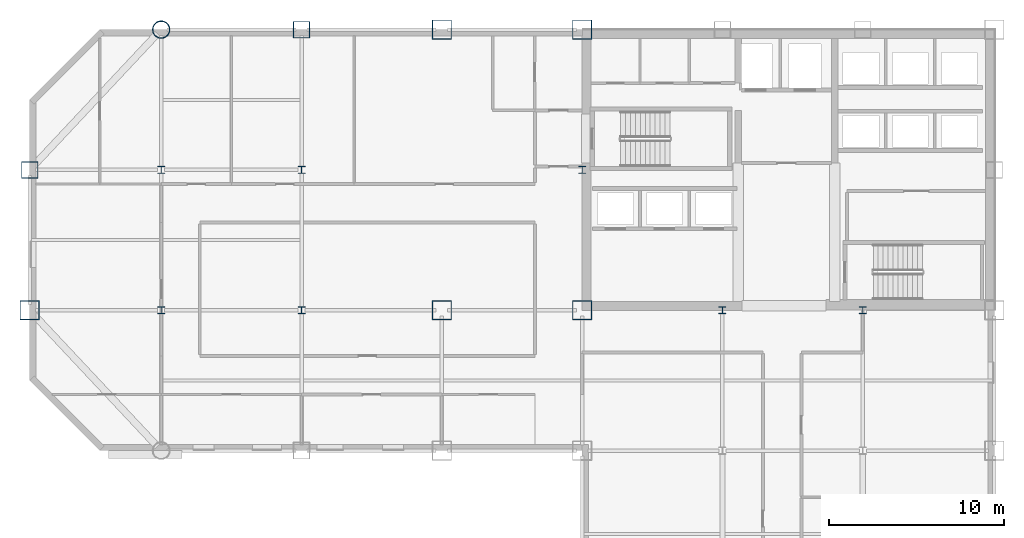
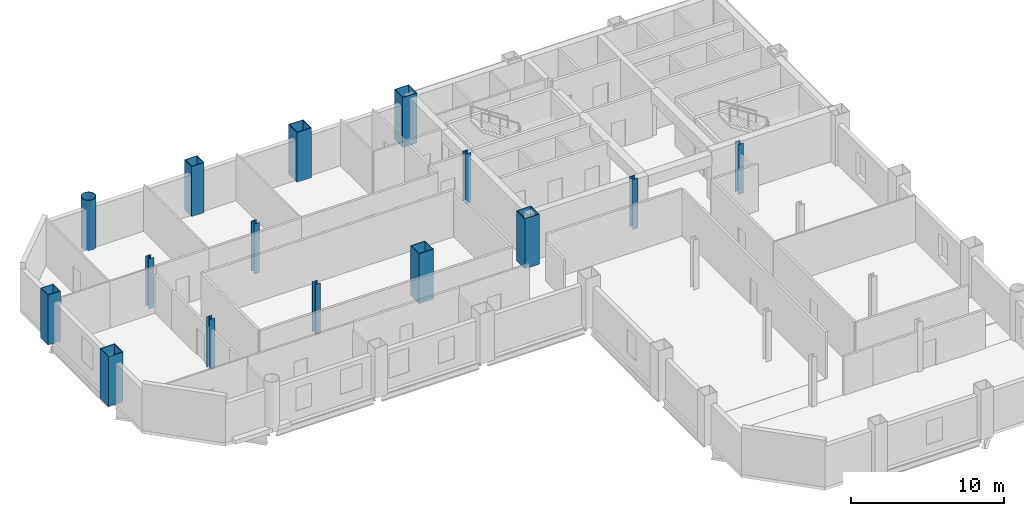
# One storey, part 3 of 10: 15 columns.
"""IFC4 building model written with IfcOpenShell, lengths in metres."""

from ifc_helpers import new_model, si_unit, direction, frame, origin, origin_2d, place, context, subcontext, project, spatial, hollow_rectangle, hollow_circle, i_section, extrude, material, material_profile, profile_set, type_object, element, save


model = new_model("IFC4")

# Units and contexts
model_context = context("Model", 3, precision=1e-05, world=origin(), true_north=direction((0.0, 1.0)))
body_context = subcontext(model_context, "Body", "Model", "MODEL_VIEW")
ifc_project = project(units=[si_unit("LENGTHUNIT", "METRE"), si_unit("AREAUNIT", "SQUARE_METRE"), si_unit("VOLUMEUNIT", "CUBIC_METRE"), si_unit("PLANEANGLEUNIT", "RADIAN"), si_unit("MASSUNIT", "GRAM", prefix="KILO")], contexts=[model_context])

# Site, building, storey
site_placement = place(None, origin())
site = spatial("IfcSite", under=ifc_project, at=site_placement, CompositionType="ELEMENT")
building_placement = place(site_placement, origin())
building = spatial("IfcBuilding", under=site, at=building_placement, Name="Qianrong Seaharbour Tower", CompositionType="ELEMENT")
storey_placement = place(building_placement, frame((0.0, 0.0, 171.0)))
storey = spatial("IfcBuildingStorey", under=building, at=storey_placement, Name="L41", CompositionType="ELEMENT", Elevation=171.0)

# Columns
ifc_material = material(Name="Structural steel SN490B", Category="steel")
ifc_material_profile_1 = material_profile(ifc_material, hollow_rectangle(XDim=1.10009765625, YDim=1.10009765625, WallThickness=0.0400390625, at=origin_2d()), Name="BOX1100x1100x40")
ifc_profile_set_1 = profile_set([ifc_material_profile_1], Name="Structural steel SN490B")
column_type_1 = type_object("IfcColumnType", Name="COL-CFT-1100", PredefinedType="COLUMN", material=ifc_profile_set_1)
for number, where, z_axis, x_axis, name in (
    (1, (9.0, 36.0, 0.0), (0.0, 0.0, 1.0), (1.0, 0.0, 0.0), "L41 Column MC-3 at G2/GF"),
    (2, (32.5, 36.0, 0.0), (0.0, 0.0, 1.0), (1.0, 0.0, 0.0), "L41 Column MC-3 at G5/GF"),
    (3, (32.5, 52.0, 0.0), (0.0, 0.0, 1.0), (1.0, 0.0, 0.0), "L41 Column MC-3 at G5/GH"),
    (4, (40.5, 36.0, 0.0), (0.0, 0.0, 1.0), (1.0, 0.0, 0.0), "L41 Column MC-3 at G6/GF"),
    (5, (40.5, 52.0, 0.0), (0.0, 0.0, 1.0), (1.0, 0.0, 0.0), "L41 Column MC-3 at G6/GH"),
):
    element("IfcColumn", number, at=place(storey_placement, frame(where, z_axis=z_axis, x_axis=x_axis)), inside=storey, type_object=column_type_1, Name=name, PredefinedType="COLUMN", context=body_context, shape_type="SweptSolid", body=[
        extrude(hollow_rectangle(XDim=1.10009765625, YDim=1.10009765625, WallThickness=0.0400390625, at=origin_2d()), origin(), (0.0, 0.0, 1.0), 4.0),
    ])
ifc_material_profile_2 = material_profile(ifc_material, hollow_circle(Radius=0.5, WallThickness=0.035888671875, at=origin_2d()), Name="CHS1000x36")
ifc_profile_set_2 = profile_set([ifc_material_profile_2], Name="Structural steel SN490B")
column_type_2 = type_object("IfcColumnType", Name="COL-CHS-1000", PredefinedType="COLUMN", material=ifc_profile_set_2)
column_placement = place(storey_placement, frame((16.5, 52.0, 0.0), z_axis=(0.0, 0.0, 1.0), x_axis=(1.0, 0.0, 0.0)))
element("IfcColumn", 6, at=column_placement, inside=storey, type_object=column_type_2, Name="L41 Column CC-2 at G3/GH", PredefinedType="COLUMN", context=body_context, shape_type="SweptSolid", body=[
    extrude(hollow_circle(Radius=0.5, WallThickness=0.035888671875, at=origin_2d()), origin(), (0.0, 0.0, 1.0), 4.0),
])
ifc_material_profile_3 = material_profile(ifc_material, i_section(OverallWidth=0.39990234375, OverallDepth=0.39990234375, WebThickness=0.012939453125, FlangeThickness=0.02099609375, FilletRadius=0.02197265625, at=origin_2d()), Name="H400x400x13x21")
ifc_profile_set_3 = profile_set([ifc_material_profile_3], Name="Structural steel SN490B")
column_type_3 = type_object("IfcColumnType", Name="COL-INT-H400", PredefinedType="COLUMN", material=ifc_profile_set_3)
for number, where, z_axis, x_axis, name in (
    (7, (16.5, 36.0, 0.0), (0.0, 0.0, 1.0), (1.0, 0.0, 0.0), "L41 Column IC-3 at G3/GF"),
    (8, (16.5, 44.0, 0.0), (0.0, 0.0, 1.0), (1.0, 0.0, 0.0), "L41 Column IC-3 at G3/GG"),
    (9, (24.5, 36.0, 0.0), (0.0, 0.0, 1.0), (1.0, 0.0, 0.0), "L41 Column IC-3 at G4/GF"),
    (10, (24.5, 44.0, 0.0), (0.0, 0.0, 1.0), (1.0, 0.0, 0.0), "L41 Column IC-3 at G4/GG"),
    (11, (40.5, 44.0, 0.0), (0.0, 0.0, 1.0), (1.0, 0.0, 0.0), "L41 Column IC-3 at G6/GG"),
    (12, (48.5, 36.0, 0.0), (0.0, 0.0, 1.0), (1.0, 0.0, 0.0), "L41 Column IC-3 at G7/GF"),
    (13, (56.5, 36.0, 0.0), (0.0, 0.0, 1.0), (1.0, 0.0, 0.0), "L41 Column IC-3 at G8/GF"),
):
    element("IfcColumn", number, at=place(storey_placement, frame(where, z_axis=z_axis, x_axis=x_axis)), inside=storey, type_object=column_type_3, Name=name, PredefinedType="COLUMN", context=body_context, shape_type="SweptSolid", body=[
        extrude(i_section(OverallWidth=0.39990234375, OverallDepth=0.39990234375, WebThickness=0.012939453125, FlangeThickness=0.02099609375, FilletRadius=0.02197265625, at=origin_2d()), origin(), (0.0, 0.0, 1.0), 4.0),
    ])
ifc_material_profile_4 = material_profile(ifc_material, hollow_rectangle(XDim=0.949951171875, YDim=0.949951171875, WallThickness=0.035888671875, at=origin_2d()), Name="BOX950x950x36")
ifc_profile_set_4 = profile_set([ifc_material_profile_4], Name="Structural steel SN490B")
column_type_4 = type_object("IfcColumnType", Name="COL-PER-950", PredefinedType="COLUMN", material=ifc_profile_set_4)
for number, where, z_axis, x_axis, name in (
    (14, (9.0, 44.0, 0.0), (0.0, 0.0, 1.0), (1.0, 0.0, 0.0), "L41 Column PC-2 at G2/GG"),
    (15, (24.5, 52.0, 0.0), (0.0, 0.0, 1.0), (1.0, 0.0, 0.0), "L41 Column PC-2 at G4/GH"),
):
    element("IfcColumn", number, at=place(storey_placement, frame(where, z_axis=z_axis, x_axis=x_axis)), inside=storey, type_object=column_type_4, Name=name, PredefinedType="COLUMN", context=body_context, shape_type="SweptSolid", body=[
        extrude(hollow_rectangle(XDim=0.949951171875, YDim=0.949951171875, WallThickness=0.035888671875, at=origin_2d()), origin(), (0.0, 0.0, 1.0), 4.0),
    ])

save(model, "model.ifc")
